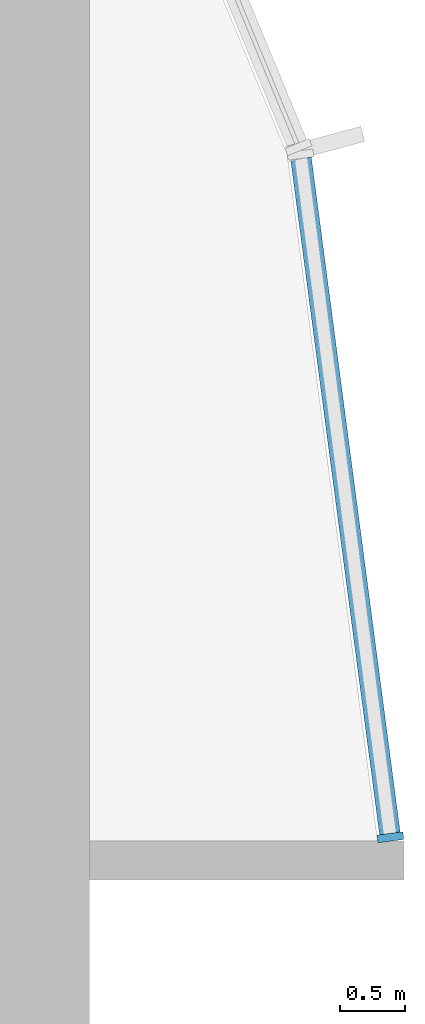
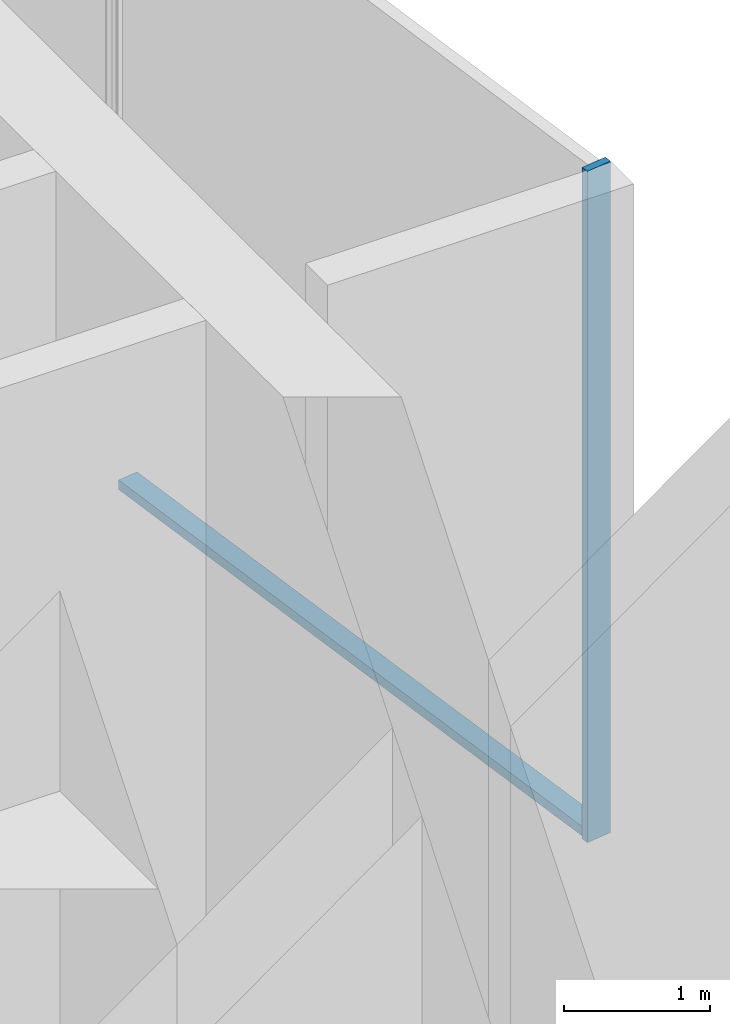
# One storey, part 6 of 18: 2 members, 1 element without a shape of its own.
"""IFC4 building model written with IfcOpenShell, lengths in metres."""

from ifc_helpers import new_model, si_unit, direction, frame, origin, origin_2d, place, context, subcontext, project, spatial, rectangle, extrude, material, layer, layer_set, material_profile, profile_set, type_object, element, aggregate, save


model = new_model("IFC4")

# Units and contexts
model_context = context("Model", 3, precision=1e-05, world=origin(), true_north=direction((0.0, 1.0)))
body_context = subcontext(model_context, "Body", "Model", "MODEL_VIEW")
ifc_project = project(units=[si_unit("LENGTHUNIT", "METRE"), si_unit("AREAUNIT", "SQUARE_METRE"), si_unit("VOLUMEUNIT", "CUBIC_METRE"), si_unit("PLANEANGLEUNIT", "RADIAN"), si_unit("MASSUNIT", "GRAM", prefix="KILO")], contexts=[model_context])

# Site, building, storey
site_placement = place(None, origin())
site = spatial("IfcSite", under=ifc_project, at=site_placement, CompositionType="ELEMENT")
building_placement = place(site_placement, origin())
building = spatial("IfcBuilding", under=site, at=building_placement, Name="Torre Brocal", CompositionType="ELEMENT")
storey_placement = place(building_placement, frame((0.0, 0.0, 109.0)))
storey = spatial("IfcBuildingStorey", under=building, at=storey_placement, Name="L25", CompositionType="ELEMENT", Elevation=109.0)

# Curtain wall, members
ifc_material_1 = material(Name="Aluminium and glass", Category="aluminium")
ifc_layer = layer(ifc_material_1, 0.199951171875)
ifc_layer_set = layer_set([ifc_layer], Name="Aluminium and glass")
curtain_wall_type = type_object("IfcCurtainWallType", Name="CW-1B CURTAIN WALL 5600 HIGH", PredefinedType="NOTDEFINED", material=ifc_layer_set)
curtain_wall_placement = place(storey_placement, origin())
curtain_wall = element("IfcCurtainWall", 1, at=curtain_wall_placement, inside=storey, type_object=curtain_wall_type, Name="CW-1B RUN 1", PredefinedType="NOTDEFINED")
ifc_material_2 = material(Name="Aluminium, dark anodised", Category="aluminium")
ifc_material_profile_1 = material_profile(ifc_material_2, rectangle(XDim=0.199951171875, YDim=0.06005859375, at=origin_2d()), Name="CW-1B MULLION 60X200")
ifc_profile_set_1 = profile_set([ifc_material_profile_1], Name="Aluminium, dark anodised")
member_type_1 = type_object("IfcMemberType", Name="CW-1B MULLION 60X200", PredefinedType="MULLION", material=ifc_profile_set_1)
member_1_placement = place(storey_placement, frame((105.7109375, 76.4296875, 0.0), z_axis=(0.0, 0.0, 1.0), x_axis=(-0.991444861374, -0.13052619222, 0.0)))
member_1 = element("IfcMember", 2, at=member_1_placement, type_object=member_type_1, Name="CW1B-2 mullion 1", PredefinedType="MULLION", context=body_context, shape_type="SweptSolid", body=[
    extrude(rectangle(XDim=0.199951171875, YDim=0.06005859375, at=origin_2d()), origin(), (0.0, 0.0, 1.0), 5.60009765625),
])
ifc_material_3 = material(Name="Aluminium, dark anodised", Category="aluminium")
ifc_material_profile_2 = material_profile(ifc_material_3, rectangle(XDim=0.159912109375, YDim=0.080078125, at=origin_2d()), Name="CW-1B TRANSOM 160X80")
ifc_profile_set_2 = profile_set([ifc_material_profile_2], Name="Aluminium, dark anodised")
member_type_2 = type_object("IfcMemberType", Name="CW-1B TRANSOM 160X80", PredefinedType="USERDEFINED", material=ifc_profile_set_2)
member_2_placement = place(storey_placement, frame((105.70703125, 76.45947265625, 0.0400390625), z_axis=(-0.130542677827, 0.991442690863, 0.0), x_axis=(-0.991442690863, -0.130542677827, 0.0)))
member_2 = element("IfcMember", 3, at=member_2_placement, type_object=member_type_2, Name="CW1B-2 transom 1.1", ObjectType="TRANSOM", PredefinedType="USERDEFINED", context=body_context, shape_type="SweptSolid", body=[
    extrude(rectangle(XDim=0.159912109375, YDim=0.080078125, at=origin_2d()), origin(), (0.0, 0.0, 1.0), 5.22900390625),
])
aggregate(curtain_wall, [member_1, member_2])

save(model, "model.ifc")
